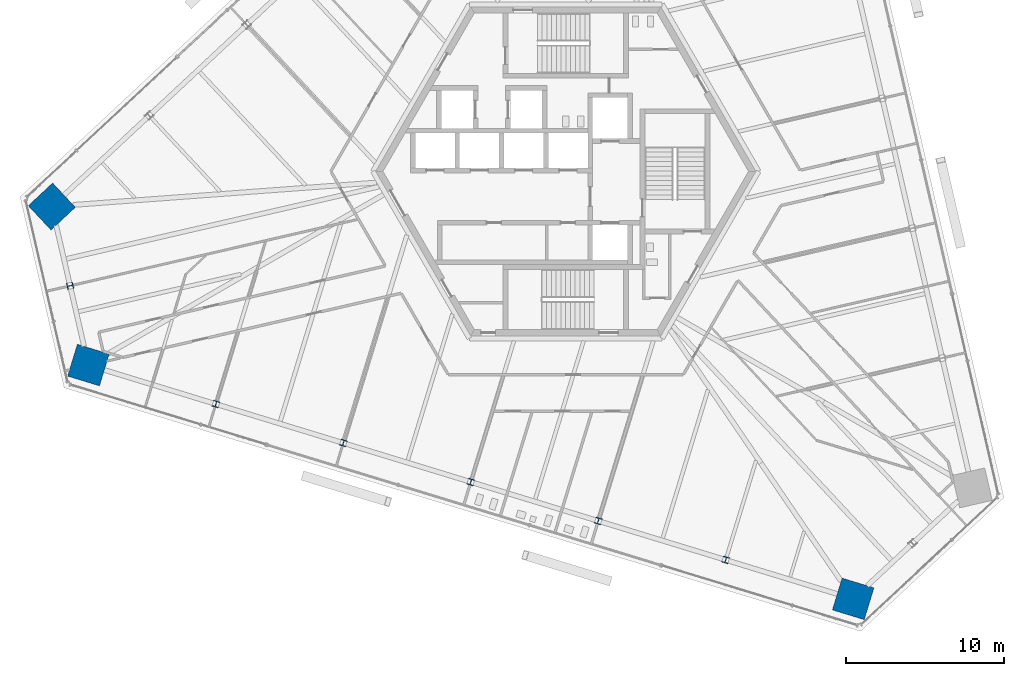
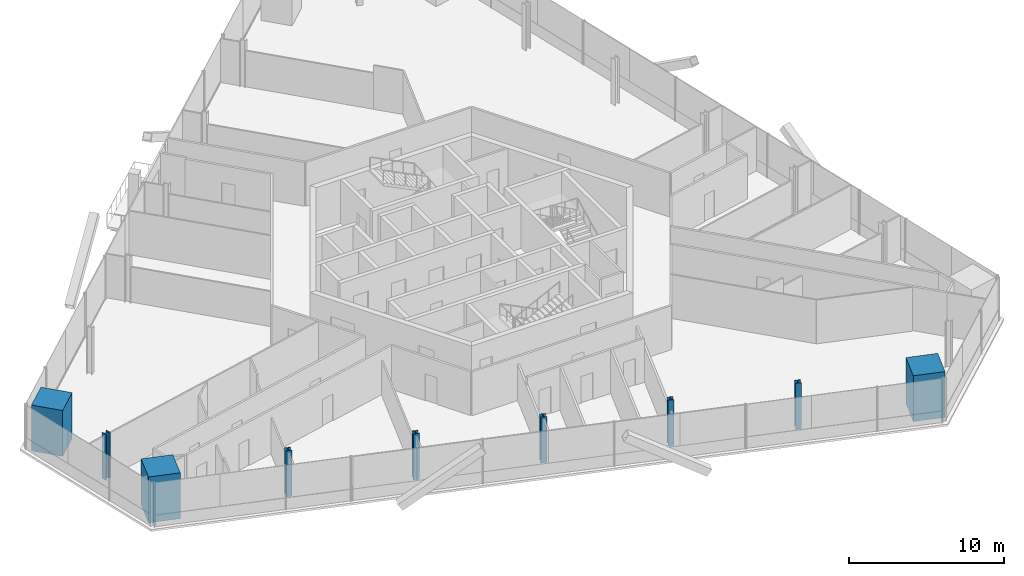
# One storey, part 1 of 19: 9 columns.
"""IFC4 building model written with IfcOpenShell, lengths in metres."""

from ifc_helpers import new_model, si_unit, direction, frame, origin, origin_2d, place, context, subcontext, project, spatial, rectangle, i_section, extrude, source, transform, mapped, material, material_profile, profile_set, type_object, element, save


model = new_model("IFC4")

# Units and contexts
model_context = context("Model", 3, precision=1e-05, world=origin(), true_north=direction((0.0, 1.0)))
body_context = subcontext(model_context, "Body", "Model", "MODEL_VIEW")
ifc_project = project(units=[si_unit("LENGTHUNIT", "METRE"), si_unit("AREAUNIT", "SQUARE_METRE"), si_unit("VOLUMEUNIT", "CUBIC_METRE"), si_unit("PLANEANGLEUNIT", "RADIAN"), si_unit("MASSUNIT", "GRAM", prefix="KILO")], contexts=[model_context])

# Site, building, storey
site_placement = place(None, origin())
site = spatial("IfcSite", under=ifc_project, at=site_placement, CompositionType="ELEMENT")
building_placement = place(site_placement, origin())
building = spatial("IfcBuilding", under=site, at=building_placement, Name="Triune Harvest Tower", CompositionType="ELEMENT")
storey_placement = place(building_placement, frame((0.0, 0.0, 109.10009765625)))
storey = spatial("IfcBuildingStorey", under=building, at=storey_placement, Name="L27", CompositionType="ELEMENT", Elevation=109.10009765625)

# Columns
ifc_material_1 = material(Name="Concrete 70 MPa", Category="concrete")
ifc_material_profile_1 = material_profile(ifc_material_1, rectangle(XDim=2.10009765625, YDim=2.10009765625, at=origin_2d()), Name="Composite 2100x2100")
ifc_profile_set_1 = profile_set([ifc_material_profile_1], Name="Concrete 70 MPa")
column_type_1 = type_object("IfcColumnType", Name="MC-3 Mega column Composite 2100x2100", PredefinedType="COLUMN", material=ifc_profile_set_1)
shared_shape_1 = source(origin(), body_context, "Body", "SweptSolid", [
    extrude(rectangle(XDim=2.10009765625, YDim=2.10009765625, at=origin_2d()), origin(), (0.0, 0.0, 1.0), 3.599853515625),
])
for number, where, z_axis, x_axis, name in (
    (1, (-32.446533203125, -2.218994140625, 0.0), (0.0, 0.0, 1.0), (-0.73135489193, -0.681997083608, 0.0), "col/L27/M14"),
    (2, (-30.135498046875, -12.22900390625, 0.0), (0.0, 0.0, 1.0), (0.956304755963, -0.292371704723, 0.0), "col/L27/M16"),
    (3, (18.14501953125, -26.989990234375, 0.0), (0.0, 0.0, 1.0), (0.956304755963, -0.292371704723, 0.0), "col/L27/M22"),
):
    element("IfcColumn", number, at=place(storey_placement, frame(where, z_axis=z_axis, x_axis=x_axis)), inside=storey, type_object=column_type_1, Name=name, PredefinedType="COLUMN", context=body_context, shape_type="MappedRepresentation", body=[
        mapped(shared_shape_1, transform((0.0, 0.0, 0.0), scale=1.0)),
    ])
ifc_material_2 = material(Name="Steel ASTM A992 Gr 50", Category="steel")
ifc_material_profile_2 = material_profile(ifc_material_2, i_section(OverallWidth=0.396240234375, OverallDepth=0.381103515625, WebThickness=0.01904296875, FlangeThickness=0.0302734375, at=origin_2d()), Name="W14x159")
ifc_profile_set_2 = profile_set([ifc_material_profile_2], Name="Steel ASTM A992 Gr 50")
column_type_2 = type_object("IfcColumnType", Name="PC-3 Perimeter column W14x159", PredefinedType="COLUMN", material=ifc_profile_set_2)
shared_shape_2 = source(origin(), body_context, "Body", "SweptSolid", [
    extrude(i_section(OverallWidth=0.396240234375, OverallDepth=0.381103515625, WebThickness=0.01904296875, FlangeThickness=0.0302734375, at=origin_2d()), origin(), (0.0, 0.0, 1.0), 3.599853515625),
])
for number, where, z_axis, x_axis, name in (
    (4, (-31.291015625, -7.22412109375, 0.0), (0.0, 0.0, 1.0), (0.224951054344, -0.974370064785, 0.0), "col/L27/P15"),
    (5, (-22.0888671875, -14.689208984375, 0.0), (0.0, 0.0, 1.0), (0.956304755963, -0.292371704723, 0.0), "col/L27/P17"),
    (6, (-14.0419921875, -17.1494140625, 0.0), (0.0, 0.0, 1.0), (0.956304755963, -0.292371704723, 0.0), "col/L27/P18"),
    (7, (-5.995361328125, -19.609619140625, 0.0), (0.0, 0.0, 1.0), (0.956304755963, -0.292371704723, 0.0), "col/L27/P19"),
    (8, (2.051513671875, -22.069580078125, 0.0), (0.0, 0.0, 1.0), (0.956304755963, -0.292371704723, 0.0), "col/L27/P20"),
    (9, (10.098388671875, -24.52978515625, 0.0), (0.0, 0.0, 1.0), (0.956304755963, -0.292371704723, 0.0), "col/L27/P21"),
):
    element("IfcColumn", number, at=place(storey_placement, frame(where, z_axis=z_axis, x_axis=x_axis)), inside=storey, type_object=column_type_2, Name=name, PredefinedType="COLUMN", context=body_context, shape_type="MappedRepresentation", body=[
        mapped(shared_shape_2, transform((0.0, 0.0, 0.0), scale=1.0)),
    ])

save(model, "model.ifc")
